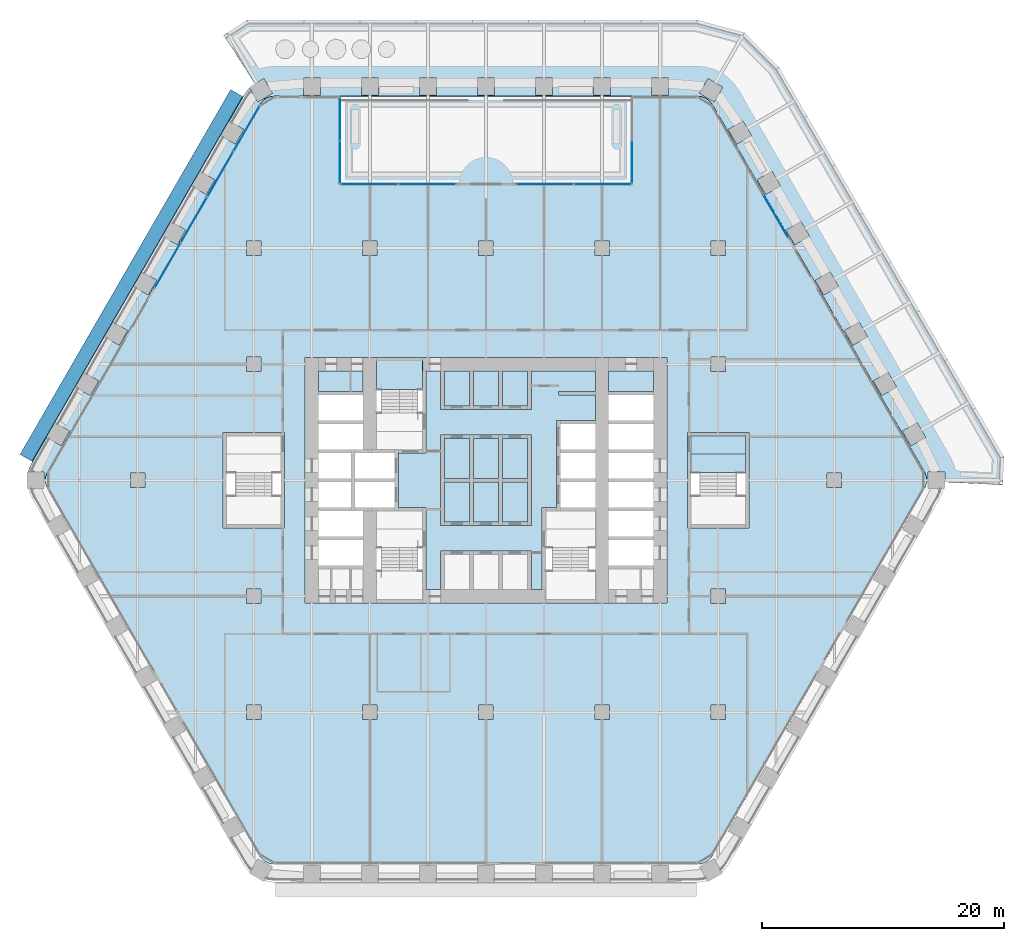
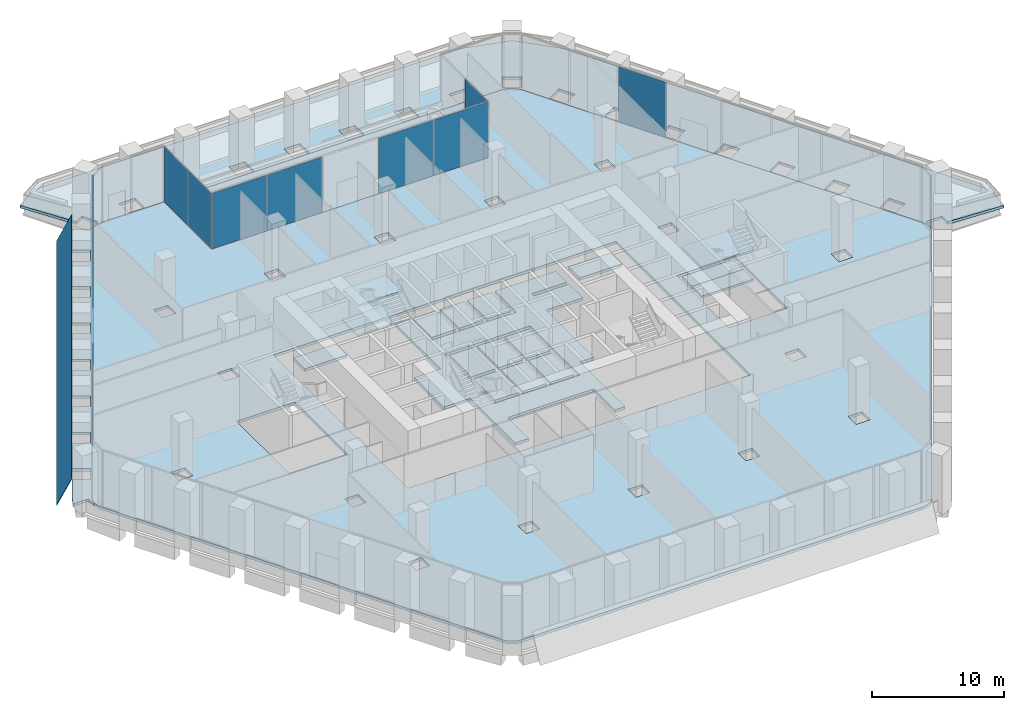
# One storey, part 17 of 30: 21 slabs, 13 plates, 8 elements without a shape of their own.
"""IFC4 building model written with IfcOpenShell, lengths in metres."""

from ifc_helpers import new_model, si_unit, direction, frame, origin, origin_2d, place, context, subcontext, project, spatial, polyline, rectangle, outline, extrude, material, layer, layer_set, type_object, element, aggregate, save


model = new_model("IFC4")

# Units and contexts
model_context = context("Model", 3, precision=1e-05, world=origin(), true_north=direction((0.0, 1.0)))
body_context = subcontext(model_context, "Body", "Model", "MODEL_VIEW")
ifc_project = project(units=[si_unit("LENGTHUNIT", "METRE"), si_unit("AREAUNIT", "SQUARE_METRE"), si_unit("VOLUMEUNIT", "CUBIC_METRE"), si_unit("PLANEANGLEUNIT", "RADIAN"), si_unit("MASSUNIT", "GRAM", prefix="KILO")], contexts=[model_context])

# Site, building, storey
site_placement = place(None, origin())
site = spatial("IfcSite", under=ifc_project, at=site_placement, CompositionType="ELEMENT")
building_placement = place(site_placement, origin())
building = spatial("IfcBuilding", under=site, at=building_placement, Name="Kolab Exchange Tower", CompositionType="ELEMENT")
storey_placement = place(building_placement, frame((0.0, 0.0, 38.89990234375)))
storey = spatial("IfcBuildingStorey", under=building, at=storey_placement, Name="L07", CompositionType="ELEMENT", Elevation=38.89990234375)

# Slabs
ifc_material_1 = material(Name="Concrete C35/45", Category="concrete")
ifc_layer_1 = layer(ifc_material_1, 0.25)
ifc_layer_set_1 = layer_set([ifc_layer_1], Name="Concrete C35/45")
slab_type_1 = type_object("IfcSlabType", Name="FLOOR SLAB 250", PredefinedType="FLOOR", material=ifc_layer_set_1)
slab_1_placement = place(storey_placement, frame((0.0, 0.0, -0.25)))
element("IfcSlab", 1, at=slab_1_placement, inside=storey, type_object=slab_type_1, Name="slab/L07/floor/0", PredefinedType="FLOOR", context=body_context, shape_type="SweptSolid", body=[
    extrude(outline(polyline([(17.468017578125, 31.75537109375), (12.0, 31.75537109375), (12.0, 24.555419921875), (-12.0, 24.555419921875), (-12.0, 31.75537109375), (-17.468017578125, 31.75537109375), (-17.728515625, 31.732666015625), (-17.98095703125, 31.664794921875), (-18.218017578125, 31.554443359375), (-18.43212890625, 31.404541015625), (-18.616943359375, 31.219482421875), (-18.76708984375, 31.00537109375), (-36.23486328125, 0.75), (-36.345458984375, 0.512939453125), (-36.4130859375, 0.260498046875), (-36.435791015625, 0.0), (-36.4130859375, -0.260498046875), (-36.345458984375, -0.512939453125), (-36.23486328125, -0.75), (-18.76708984375, -31.00537109375), (-18.616943359375, -31.219482421875), (-18.43212890625, -31.404541015625), (-18.218017578125, -31.554443359375), (-17.98095703125, -31.664794921875), (-17.728515625, -31.732666015625), (-17.468017578125, -31.75537109375), (17.468017578125, -31.75537109375), (17.728515625, -31.732666015625), (17.98095703125, -31.664794921875), (18.218017578125, -31.554443359375), (18.43212890625, -31.404541015625), (18.616943359375, -31.219482421875), (18.76708984375, -31.00537109375), (36.23486328125, -0.75), (36.345458984375, -0.512939453125), (36.4130859375, -0.260498046875), (36.435791015625, 0.0), (36.4130859375, 0.260498046875), (36.345458984375, 0.512939453125), (36.23486328125, 0.75), (18.76708984375, 31.00537109375), (18.616943359375, 31.219482421875), (18.43212890625, 31.404541015625), (18.218017578125, 31.554443359375), (17.98095703125, 31.664794921875), (17.728515625, 31.732666015625), (17.468017578125, 31.75537109375)]), holes=[polyline([(-19.800048828125, -18.60009765625), (-18.60009765625, -18.60009765625), (-18.60009765625, -19.800048828125), (-19.800048828125, -19.800048828125), (-19.800048828125, -18.60009765625)]), polyline([(-18.60009765625, -9.0), (-18.60009765625, -10.199951171875), (-19.800048828125, -10.199951171875), (-19.800048828125, -9.0), (-18.60009765625, -9.0)]), polyline([(-21.75, -3.949951171875), (-21.75, 3.949951171875), (-21.449951171875, 3.949951171875), (-16.949951171875, 3.949951171875), (-16.64990234375, 3.949951171875), (-16.64990234375, -3.949951171875), (-16.949951171875, -3.949951171875), (-21.449951171875, -3.949951171875), (-21.75, -3.949951171875)]), polyline([(-14.949951171875, 10.14990234375), (-13.85009765625, 10.14990234375), (-10.14990234375, 10.14990234375), (-9.050048828125, 10.14990234375), (-5.25, 10.14990234375), (9.050048828125, 10.14990234375), (10.14990234375, 10.14990234375), (13.85009765625, 10.14990234375), (14.949951171875, 10.14990234375), (14.949951171875, -10.14990234375), (13.85009765625, -10.14990234375), (10.14990234375, -10.14990234375), (9.050048828125, -10.14990234375), (4.949951171875, -10.14990234375), (-5.25, -10.14990234375), (-9.050048828125, -10.14990234375), (-10.14990234375, -10.14990234375), (-13.85009765625, -10.14990234375), (-14.949951171875, -10.14990234375), (-14.949951171875, 10.14990234375)]), polyline([(-28.199951171875, 0.60009765625), (-28.199951171875, -0.60009765625), (-29.39990234375, -0.60009765625), (-29.39990234375, 0.60009765625), (-28.199951171875, 0.60009765625)]), polyline([(-18.60009765625, 10.199951171875), (-18.60009765625, 9.0), (-19.800048828125, 9.0), (-19.800048828125, 10.199951171875), (-18.60009765625, 10.199951171875)]), polyline([(-19.800048828125, 19.800048828125), (-18.60009765625, 19.800048828125), (-18.60009765625, 18.60009765625), (-19.800048828125, 18.60009765625), (-19.800048828125, 19.800048828125)]), polyline([(-9.0, -18.60009765625), (-9.0, -19.800048828125), (-10.199951171875, -19.800048828125), (-10.199951171875, -18.60009765625), (-9.0, -18.60009765625)]), polyline([(-9.0, 19.800048828125), (-9.0, 18.60009765625), (-10.199951171875, 18.60009765625), (-10.199951171875, 19.800048828125), (-9.0, 19.800048828125)]), polyline([(0.60009765625, -18.60009765625), (0.60009765625, -19.800048828125), (-0.60009765625, -19.800048828125), (-0.60009765625, -18.60009765625), (0.60009765625, -18.60009765625)]), polyline([(0.60009765625, 19.800048828125), (0.60009765625, 18.60009765625), (-0.60009765625, 18.60009765625), (-0.60009765625, 19.800048828125), (0.60009765625, 19.800048828125)]), polyline([(10.199951171875, -18.60009765625), (10.199951171875, -19.800048828125), (9.0, -19.800048828125), (9.0, -18.60009765625), (10.199951171875, -18.60009765625)]), polyline([(9.0, 19.800048828125), (10.199951171875, 19.800048828125), (10.199951171875, 18.60009765625), (9.0, 18.60009765625), (9.0, 19.800048828125)]), polyline([(19.800048828125, -18.60009765625), (19.800048828125, -19.800048828125), (18.60009765625, -19.800048828125), (18.60009765625, -18.60009765625), (19.800048828125, -18.60009765625)]), polyline([(19.800048828125, -9.0), (19.800048828125, -10.199951171875), (18.60009765625, -10.199951171875), (18.60009765625, -9.0), (19.800048828125, -9.0)]), polyline([(16.949951171875, -3.949951171875), (16.64990234375, -3.949951171875), (16.64990234375, 3.949951171875), (16.949951171875, 3.949951171875), (21.449951171875, 3.949951171875), (21.75, 3.949951171875), (21.75, -3.949951171875), (21.449951171875, -3.949951171875), (16.949951171875, -3.949951171875)]), polyline([(29.39990234375, 0.60009765625), (29.39990234375, -0.60009765625), (28.199951171875, -0.60009765625), (28.199951171875, 0.60009765625), (29.39990234375, 0.60009765625)]), polyline([(18.60009765625, 10.199951171875), (19.800048828125, 10.199951171875), (19.800048828125, 9.0), (18.60009765625, 9.0), (18.60009765625, 10.199951171875)]), polyline([(18.60009765625, 19.800048828125), (19.800048828125, 19.800048828125), (19.800048828125, 18.60009765625), (18.60009765625, 18.60009765625), (18.60009765625, 19.800048828125)])]), origin(), (0.0, 0.0, 1.0), 0.25),
])
slab_2_placement = place(storey_placement, frame((0.0, 0.0, -0.25)))
element("IfcSlab", 2, at=slab_2_placement, inside=storey, type_object=slab_type_1, Name="slab/L07/floor/1", PredefinedType="FLOOR", context=body_context, shape_type="SweptSolid", body=[
    extrude(outline(polyline([(-5.25, 2.25), (-7.25, 2.25), (-7.25, -2.25), (-5.25, -2.25), (-4.949951171875, -2.25), (-4.949951171875, -9.050048828125), (-3.75, -9.050048828125), (-3.75, -5.85009765625), (-3.449951171875, -5.85009765625), (-1.35009765625, -5.85009765625), (-1.050048828125, -5.85009765625), (1.050048828125, -5.85009765625), (1.35009765625, -5.85009765625), (3.449951171875, -5.85009765625), (3.75, -5.85009765625), (3.75, -9.050048828125), (4.64990234375, -9.050048828125), (4.64990234375, -2.25), (4.949951171875, -2.25), (5.85009765625, -2.25), (5.85009765625, 4.949951171875), (6.14990234375, 4.949951171875), (9.050048828125, 4.949951171875), (9.050048828125, 7.050048828125), (6.0, 7.050048828125), (6.0, 7.35009765625), (9.050048828125, 7.35009765625), (9.050048828125, 9.050048828125), (3.75, 9.050048828125), (3.75, 5.85009765625), (3.449951171875, 5.85009765625), (1.35009765625, 5.85009765625), (1.050048828125, 5.85009765625), (-1.050048828125, 5.85009765625), (-1.35009765625, 5.85009765625), (-3.449951171875, 5.85009765625), (-3.75, 5.85009765625), (-3.75, 9.050048828125), (-4.949951171875, 9.050048828125), (-4.949951171875, 2.25), (-5.25, 2.25)]), holes=[polyline([(-1.35009765625, 3.75), (-1.050048828125, 3.75), (1.050048828125, 3.75), (1.35009765625, 3.75), (3.449951171875, 3.75), (3.75, 3.75), (3.75, -3.75), (3.449951171875, -3.75), (1.35009765625, -3.75), (1.050048828125, -3.75), (-1.050048828125, -3.75), (-1.35009765625, -3.75), (-3.449951171875, -3.75), (-3.75, -3.75), (-3.75, 3.75), (-3.449951171875, 3.75), (-1.35009765625, 3.75)])]), origin(), (0.0, 0.0, 1.0), 0.25),
])
slab_3_placement = place(storey_placement, frame((0.0, 0.0, -0.25)))
element("IfcSlab", 3, at=slab_3_placement, inside=storey, type_object=slab_type_1, Name="slab/L07/floor/2", PredefinedType="FLOOR", context=body_context, shape_type="SweptSolid", body=[
    extrude(outline(polyline([(-3.449951171875, -3.449951171875), (-1.35009765625, -3.449951171875), (-1.35009765625, -0.14990234375), (-3.449951171875, -0.14990234375), (-3.449951171875, -3.449951171875)])), origin(), (0.0, 0.0, 1.0), 0.25),
])
slab_4_placement = place(storey_placement, frame((0.0, 0.0, -0.25)))
element("IfcSlab", 4, at=slab_4_placement, inside=storey, type_object=slab_type_1, Name="slab/L07/floor/3", PredefinedType="FLOOR", context=body_context, shape_type="SweptSolid", body=[
    extrude(outline(polyline([(-1.35009765625, 0.14990234375), (-1.35009765625, 3.449951171875), (-3.449951171875, 3.449951171875), (-3.449951171875, 0.14990234375), (-1.35009765625, 0.14990234375)])), origin(), (0.0, 0.0, 1.0), 0.25),
])
slab_5_placement = place(storey_placement, frame((0.0, 0.0, -0.25)))
element("IfcSlab", 5, at=slab_5_placement, inside=storey, type_object=slab_type_1, Name="slab/L07/floor/4", PredefinedType="FLOOR", context=body_context, shape_type="SweptSolid", body=[
    extrude(outline(polyline([(-1.050048828125, -0.14990234375), (-1.050048828125, -3.449951171875), (1.050048828125, -3.449951171875), (1.050048828125, -0.14990234375), (-1.050048828125, -0.14990234375)])), origin(), (0.0, 0.0, 1.0), 0.25),
])
slab_6_placement = place(storey_placement, frame((0.0, 0.0, -0.25)))
element("IfcSlab", 6, at=slab_6_placement, inside=storey, type_object=slab_type_1, Name="slab/L07/floor/5", PredefinedType="FLOOR", context=body_context, shape_type="SweptSolid", body=[
    extrude(outline(polyline([(-1.050048828125, 3.449951171875), (-1.050048828125, 0.14990234375), (1.050048828125, 0.14990234375), (1.050048828125, 3.449951171875), (-1.050048828125, 3.449951171875)])), origin(), (0.0, 0.0, 1.0), 0.25),
])
slab_7_placement = place(storey_placement, frame((0.0, 0.0, -0.25)))
element("IfcSlab", 7, at=slab_7_placement, inside=storey, type_object=slab_type_1, Name="slab/L07/floor/6", PredefinedType="FLOOR", context=body_context, shape_type="SweptSolid", body=[
    extrude(outline(polyline([(1.35009765625, -3.449951171875), (3.449951171875, -3.449951171875), (3.449951171875, -0.14990234375), (1.35009765625, -0.14990234375), (1.35009765625, -3.449951171875)])), origin(), (0.0, 0.0, 1.0), 0.25),
])
slab_8_placement = place(storey_placement, frame((0.0, 0.0, -0.25)))
element("IfcSlab", 8, at=slab_8_placement, inside=storey, type_object=slab_type_1, Name="slab/L07/floor/7", PredefinedType="FLOOR", context=body_context, shape_type="SweptSolid", body=[
    extrude(outline(polyline([(1.35009765625, 0.14990234375), (3.449951171875, 0.14990234375), (3.449951171875, 3.449951171875), (1.35009765625, 3.449951171875), (1.35009765625, 0.14990234375)])), origin(), (0.0, 0.0, 1.0), 0.25),
])
slab_9_placement = place(storey_placement, frame((0.0, 0.0, -0.25)))
element("IfcSlab", 9, at=slab_9_placement, inside=storey, type_object=slab_type_1, Name="slab/L07/floor/9", PredefinedType="FLOOR", context=body_context, shape_type="SweptSolid", body=[
    extrude(outline(polyline([(21.449951171875, 3.64990234375), (16.949951171875, 3.64990234375), (16.949951171875, 2.14990234375), (21.449951171875, 2.14990234375), (21.449951171875, 3.64990234375)])), origin(), (0.0, 0.0, 1.0), 0.25),
])
slab_10_placement = place(storey_placement, frame((0.0, 0.0, -0.25)))
element("IfcSlab", 10, at=slab_10_placement, inside=storey, type_object=slab_type_1, Name="slab/L07/floor/11", PredefinedType="FLOOR", context=body_context, shape_type="SweptSolid", body=[
    extrude(outline(polyline([(-13.85009765625, 7.35009765625), (-10.14990234375, 7.35009765625), (-10.14990234375, 9.050048828125), (-13.85009765625, 9.050048828125), (-13.85009765625, 7.35009765625)])), origin(), (0.0, 0.0, 1.0), 0.25),
])
slab_11_placement = place(storey_placement, frame((0.0, 0.0, -0.25)))
element("IfcSlab", 11, at=slab_11_placement, inside=storey, type_object=slab_type_1, Name="slab/L07/floor/13", PredefinedType="FLOOR", context=body_context, shape_type="SweptSolid", body=[
    extrude(outline(polyline([(10.14990234375, 7.35009765625), (13.85009765625, 7.35009765625), (13.85009765625, 9.050048828125), (10.14990234375, 9.050048828125), (10.14990234375, 7.35009765625)])), origin(), (0.0, 0.0, 1.0), 0.25),
])
slab_12_placement = place(storey_placement, frame((0.0, 0.0, -0.25)))
element("IfcSlab", 12, at=slab_12_placement, inside=storey, type_object=slab_type_1, Name="slab/L07/floor/16", PredefinedType="FLOOR", context=body_context, shape_type="SweptSolid", body=[
    extrude(outline(polyline([(-1.050048828125, 9.050048828125), (-1.050048828125, 6.14990234375), (1.050048828125, 6.14990234375), (1.050048828125, 9.050048828125), (-1.050048828125, 9.050048828125)])), origin(), (0.0, 0.0, 1.0), 0.25),
])
slab_13_placement = place(storey_placement, frame((0.0, 0.0, -0.25)))
element("IfcSlab", 13, at=slab_13_placement, inside=storey, type_object=slab_type_1, Name="slab/L07/floor/18", PredefinedType="FLOOR", context=body_context, shape_type="SweptSolid", body=[
    extrude(outline(polyline([(-1.35009765625, 6.14990234375), (-1.35009765625, 9.050048828125), (-3.449951171875, 9.050048828125), (-3.449951171875, 6.14990234375), (-1.35009765625, 6.14990234375)])), origin(), (0.0, 0.0, 1.0), 0.25),
])
slab_14_placement = place(storey_placement, frame((0.0, 0.0, -0.25)))
element("IfcSlab", 14, at=slab_14_placement, inside=storey, type_object=slab_type_1, Name="slab/L07/floor/20", PredefinedType="FLOOR", context=body_context, shape_type="SweptSolid", body=[
    extrude(outline(polyline([(1.35009765625, 6.14990234375), (3.449951171875, 6.14990234375), (3.449951171875, 9.050048828125), (1.35009765625, 9.050048828125), (1.35009765625, 6.14990234375)])), origin(), (0.0, 0.0, 1.0), 0.25),
])
ifc_layer_2 = layer(ifc_material_1, 0.25)
ifc_layer_set_2 = layer_set([ifc_layer_2], Name="Concrete C35/45")
slab_type_2 = type_object("IfcSlabType", Name="LOGGIA SLAB 250", PredefinedType="FLOOR", material=ifc_layer_set_2)
slab_15_placement = place(storey_placement, frame((0.0, 0.0, -0.25)))
element("IfcSlab", 15, at=slab_15_placement, inside=storey, type_object=slab_type_2, Name="slab/L07/loggia/5-0", PredefinedType="FLOOR", context=body_context, shape_type="SweptSolid", body=[
    extrude(outline(polyline([(-18.43212890625, 31.404541015625), (-18.2802734375, 31.5107421875), (-18.338134765625, 31.6005859375), (-18.874267578125, 31.291015625), (-19.52734375, 32.42236328125), (-19.76611328125, 32.183837890625), (-20.06591796875, 31.75537109375), (-21.25, 29.70458984375), (-20.03759765625, 29.004638671875), (-20.737548828125, 27.792236328125), (-21.949951171875, 28.4921875), (-23.64990234375, 25.5478515625), (-22.4375, 24.84765625), (-23.137451171875, 23.63525390625), (-24.35009765625, 24.335205078125), (-26.050048828125, 21.390869140625), (-24.837646484375, 20.69091796875), (-25.53759765625, 19.478271484375), (-26.75, 20.178466796875), (-28.449951171875, 17.23388671875), (-27.237548828125, 16.533935546875), (-27.9375, 15.321533203125), (-29.14990234375, 16.021484375), (-30.85009765625, 13.076904296875), (-29.637451171875, 12.376953125), (-30.337646484375, 11.16455078125), (-31.550048828125, 11.864501953125), (-33.25, 8.920166015625), (-32.03759765625, 8.219970703125), (-32.737548828125, 7.007568359375), (-33.949951171875, 7.70751953125), (-35.64990234375, 4.76318359375), (-34.4375, 4.063232421875), (-35.137451171875, 2.8505859375), (-36.35009765625, 3.55078125), (-37.533935546875, 1.5), (-37.7548828125, 1.026123046875), (-37.84228515625, 0.699951171875), (-36.535888671875, 0.699951171875), (-36.535888671875, 0.0), (-36.435791015625, 0.0), (-36.4130859375, 0.260498046875), (-36.345458984375, 0.512939453125), (-36.23486328125, 0.75), (-18.76708984375, 31.00537109375), (-18.616943359375, 31.219482421875), (-18.43212890625, 31.404541015625)])), origin(), (0.0, 0.0, 1.0), 0.25),
])

# Plate
ifc_material_2 = material(Name="Laminated glass, clear", Category="glass")
ifc_layer_3 = layer(ifc_material_2, 0.0400390625)
ifc_layer_set_3 = layer_set([ifc_layer_3], Name="Laminated glass, clear")
plate_type_1 = type_object("IfcPlateType", Name="OUTER SKIN LAMINATED GLASS SHEET 40", PredefinedType="SHEET", material=ifc_layer_set_3)
plate_1_placement = place(storey_placement, frame((-38.53076171875, 2.13330078125, -0.782958984375), z_axis=(-0.784872769673, 0.453148092024, 0.422648248689), x_axis=(0.500001313459, 0.866024645457, 0.0)))
element("IfcPlate", 16, at=plate_1_placement, inside=storey, type_object=plate_type_1, Name="Outer skin", PredefinedType="SHEET", context=body_context, shape_type="SweptSolid", body=[
    extrude(outline(polyline([(0.0, 0.0), (34.83584598906518, 0.0), (34.8359132764295, -2.7059575705201846), (6.728736431932392e-05, -2.705957570520185), (0.0, 0.0)])), origin(), (0.0, 0.0, -1.0), 0.0400390625),
])

# Stair, slabs
ifc_material_3 = material(Name="Concrete C50/60", Category="concrete")
stair_type_1 = type_object("IfcStairType", Name="STAIR ST1 RISER 171.9", PredefinedType="DOUBLE_RETURN_STAIR", material=ifc_material_3)
stair_1_placement = place(storey_placement, origin())
stair_1 = element("IfcStair", 17, at=stair_1_placement, inside=storey, type_object=stair_type_1, Name="Stair 1", PredefinedType="DOUBLE_RETURN_STAIR")
ifc_layer_4 = layer(ifc_material_3, 0.199951171875)
ifc_layer_set_4 = layer_set([ifc_layer_4], Name="Concrete C50/60")
slab_type_3 = type_object("IfcSlabType", Name="STAIR LANDING 200", PredefinedType="LANDING", material=ifc_layer_set_4)
slab_16_placement = place(storey_placement, frame((0.0, 0.0, 1.175048828125)))
slab_16 = element("IfcSlab", 18, at=slab_16_placement, type_object=slab_type_3, Name="ST1 landing 2", PredefinedType="LANDING", context=body_context, shape_type="SweptSolid", body=[
    extrude(outline(polyline([(-9.110107421875, 7.510009765625), (-5.18994140625, 7.510009765625), (-5.18994140625, 9.909912109375), (-9.110107421875, 9.909912109375), (-9.110107421875, 7.510009765625)])), origin(), (0.0, 0.0, 1.0), 0.199951171875),
])
slab_17_placement = place(storey_placement, frame((0.0, 0.0, 3.925048828125)))
slab_17 = element("IfcSlab", 19, at=slab_17_placement, type_object=slab_type_3, Name="ST1 landing 4", PredefinedType="LANDING", context=body_context, shape_type="SweptSolid", body=[
    extrude(outline(polyline([(-9.050048828125, 7.510009765625), (-5.25, 7.510009765625), (-5.25, 9.909912109375), (-9.050048828125, 9.909912109375), (-9.050048828125, 7.510009765625)])), origin(), (0.0, 0.0, 1.0), 0.199951171875),
])
aggregate(stair_1, [slab_16, slab_17])

stair_type_2 = type_object("IfcStairType", Name="STAIR ST4 RISER 171.9", PredefinedType="DOUBLE_RETURN_STAIR", material=ifc_material_3)
stair_2_placement = place(storey_placement, origin())
stair_2 = element("IfcStair", 20, at=stair_2_placement, inside=storey, type_object=stair_type_2, Name="Stair 4", PredefinedType="DOUBLE_RETURN_STAIR")
slab_18_placement = place(storey_placement, frame((0.0, 0.0, -0.199951171875)))
slab_18 = element("IfcSlab", 21, at=slab_18_placement, type_object=slab_type_3, Name="ST4 landing 1", PredefinedType="LANDING", context=body_context, shape_type="SweptSolid", body=[
    extrude(outline(polyline([(16.949951171875, 0.64990234375), (21.449951171875, 0.64990234375), (21.449951171875, 2.14990234375), (16.949951171875, 2.14990234375), (16.949951171875, 0.64990234375)])), origin(), (0.0, 0.0, 1.0), 0.199951171875),
])
slab_19_placement = place(storey_placement, frame((0.0, 0.0, 2.550048828125)))
slab_19 = element("IfcSlab", 22, at=slab_19_placement, type_object=slab_type_3, Name="ST4 landing 3", PredefinedType="LANDING", context=body_context, shape_type="SweptSolid", body=[
    extrude(outline(polyline([(16.889892578125, 0.64990234375), (21.510009765625, 0.64990234375), (21.510009765625, 3.7099609375), (16.889892578125, 3.7099609375), (16.889892578125, 0.64990234375)])), origin(), (0.0, 0.0, 1.0), 0.199951171875),
])
aggregate(stair_2, [slab_18, slab_19])

# Slabs
ifc_layer_5 = layer(ifc_material_1, 0.25)
ifc_layer_set_5 = layer_set([ifc_layer_5], Name="Concrete C35/45")
slab_type_4 = type_object("IfcSlabType", Name="TERRACE SLAB 250 PLANTED", PredefinedType="ROOF", material=ifc_layer_set_5)
slab_20_placement = place(storey_placement, frame((0.0, 0.0, -0.25)))
element("IfcSlab", 23, at=slab_20_placement, inside=storey, type_object=slab_type_4, Name="Roof terrace", PredefinedType="ROOF", context=body_context, shape_type="SweptSolid", body=[
    extrude(outline(polyline([(-12.0, 31.75537109375), (-12.0, 24.555419921875), (12.0, 24.555419921875), (12.0, 31.75537109375), (-12.0, 31.75537109375)])), origin(), (0.0, 0.0, 1.0), 0.25),
])
slab_21_placement = place(storey_placement, frame((0.0, 0.0, -0.25)))
element("IfcSlab", 24, at=slab_21_placement, inside=storey, type_object=slab_type_4, Name="Roof terrace", PredefinedType="ROOF", context=body_context, shape_type="SweptSolid", body=[
    extrude(outline(polyline([(-21.695556640625, 36.79931640625), (-21.695556640625, 36.799072265625), (-19.097900390625, 32.7783203125), (-18.36181640625, 33.203369140625), (-17.66162109375, 31.990966796875), (-18.337158203125, 31.60107421875), (-18.279296875, 31.511474609375), (-18.218017578125, 31.55419921875), (-18.218017578125, 31.554443359375), (-18.2177734375, 31.554443359375), (-17.981201171875, 31.664794921875), (-17.98095703125, 31.664794921875), (-17.980712890625, 31.6650390625), (-17.728515625, 31.732421875), (-17.728515625, 31.732666015625), (-17.728271484375, 31.732666015625), (-17.468017578125, 31.75537109375), (-17.4677734375, 31.75537109375), (17.4677734375, 31.75537109375), (17.468017578125, 31.75537109375), (17.728271484375, 31.732666015625), (17.728515625, 31.732666015625), (17.728515625, 31.732421875), (17.980712890625, 31.6650390625), (17.98095703125, 31.664794921875), (17.981201171875, 31.664794921875), (18.2177734375, 31.554443359375), (18.218017578125, 31.554443359375), (18.218017578125, 31.55419921875), (18.431884765625, 31.404541015625), (18.43212890625, 31.404541015625), (18.432373046875, 31.404296875), (18.616943359375, 31.2197265625), (18.616943359375, 31.219482421875), (18.6171875, 31.219482421875), (18.766845703125, 31.00537109375), (18.76708984375, 31.00537109375), (36.23486328125, 0.75), (36.345458984375, 0.51318359375), (36.345458984375, 0.512939453125), (36.4130859375, 0.2607421875), (36.4130859375, 0.260498046875), (36.4130859375, 0.26025390625), (36.435791015625, 0.000244140625), (36.435791015625, 0.0), (36.435791015625, -0.000244140625), (36.429443359375, -0.07470703125), (36.535888671875, -0.080078125), (36.535888671875, 0.699951171875), (37.935791015625, 0.699951171875), (37.935791015625, -0.150146484375), (42.716796875, -0.389404296875), (42.716796875, -0.38916015625), (42.83251953125, 1.922607421875), (42.83251953125, 1.9228515625), (24.222900390625, 34.1552734375), (24.222900390625, 34.155517578125), (21.367919921875, 37.01025390625), (21.367919921875, 37.010498046875), (17.468017578125, 38.055419921875), (17.4677734375, 38.055419921875), (-19.7509765625, 38.055419921875), (-19.751220703125, 38.055419921875), (-21.695556640625, 36.79931640625)]), holes=[polyline([(-15.10009765625, 33.25537109375), (-13.699951171875, 33.25537109375), (-13.699951171875, 31.85546875), (-15.10009765625, 31.85546875), (-15.10009765625, 33.25537109375)]), polyline([(-8.89990234375, 33.25537109375), (-8.89990234375, 31.85546875), (-10.300048828125, 31.85546875), (-10.300048828125, 33.25537109375), (-8.89990234375, 33.25537109375)]), polyline([(-0.699951171875, 33.25537109375), (0.699951171875, 33.25537109375), (0.699951171875, 31.85546875), (-0.699951171875, 31.85546875), (-0.699951171875, 33.25537109375)]), polyline([(-4.10009765625, 33.25537109375), (-4.10009765625, 31.85546875), (-5.5, 31.85546875), (-5.5, 33.25537109375), (-4.10009765625, 33.25537109375)]), polyline([(8.89990234375, 33.25537109375), (10.300048828125, 33.25537109375), (10.300048828125, 31.85546875), (8.89990234375, 31.85546875), (8.89990234375, 33.25537109375)]), polyline([(5.5, 33.25537109375), (5.5, 31.85546875), (4.10009765625, 31.85546875), (4.10009765625, 33.25537109375), (5.5, 33.25537109375)]), polyline([(35.64990234375, 4.76318359375), (36.35009765625, 3.55078125), (35.137451171875, 2.8505859375), (34.4375, 4.063232421875), (35.64990234375, 4.76318359375)]), polyline([(32.03759765625, 8.219970703125), (33.25, 8.920166015625), (33.949951171875, 7.70751953125), (32.737548828125, 7.007568359375), (32.03759765625, 8.219970703125)]), polyline([(30.85009765625, 13.076904296875), (31.550048828125, 11.864501953125), (30.337646484375, 11.16455078125), (29.637451171875, 12.376953125), (30.85009765625, 13.076904296875)]), polyline([(28.449951171875, 17.23388671875), (29.14990234375, 16.021484375), (27.9375, 15.321533203125), (27.237548828125, 16.533935546875), (28.449951171875, 17.23388671875)]), polyline([(26.050048828125, 21.390869140625), (26.75, 20.178466796875), (25.53759765625, 19.478271484375), (24.837646484375, 20.69091796875), (26.050048828125, 21.390869140625)]), polyline([(23.64990234375, 25.5478515625), (24.35009765625, 24.335205078125), (23.137451171875, 23.63525390625), (22.4375, 24.84765625), (23.64990234375, 25.5478515625)]), polyline([(20.03759765625, 29.004638671875), (21.25, 29.70458984375), (21.949951171875, 28.4921875), (20.737548828125, 27.792236328125), (20.03759765625, 29.004638671875)]), polyline([(18.36181640625, 33.203369140625), (19.57421875, 32.50341796875), (18.874267578125, 31.291015625), (17.66162109375, 31.990966796875), (18.36181640625, 33.203369140625)]), polyline([(15.10009765625, 33.25537109375), (15.10009765625, 31.85546875), (13.699951171875, 31.85546875), (13.699951171875, 33.25537109375), (15.10009765625, 33.25537109375)])]), origin(), (0.0, 0.0, 1.0), 0.25),
])

# Curtain wall, plates
ifc_material_4 = material(Name="Aluminium EN AW-6063 T6", Category="aluminium")
curtain_wall_type = type_object("IfcCurtainWallType", Name="UNITISED LOW ZONE CURTAIN WALL", PredefinedType="NOTDEFINED", material=ifc_material_4)
curtain_wall_1_placement = place(storey_placement, origin())
curtain_wall_1 = element("IfcCurtainWall", 25, at=curtain_wall_1_placement, inside=storey, type_object=curtain_wall_type, Name="cw/L07/F1-rl-1", PredefinedType="NOTDEFINED")
ifc_material_5 = material(Name="Clear insulated glazing unit", Category="glass")
ifc_layer_6 = layer(ifc_material_5, 0.02392578125)
ifc_layer_set_6 = layer_set([ifc_layer_6], Name="Clear insulated glazing unit")
plate_type_2 = type_object("IfcPlateType", Name="UNITISED LOW ZONE GLASS PANEL 24", PredefinedType="CURTAIN_PANEL", material=ifc_layer_set_6)
plate_2_placement = place(storey_placement, frame((-12.080078125, 29.8603515625, 0.06005859375), z_axis=(0.0, 0.0, 1.0), x_axis=(0.0, -1.0, 0.0)))
plate_2 = element("IfcPlate", 26, at=plate_2_placement, type_object=plate_type_2, Name="CW1 panel 1.1", PredefinedType="CURTAIN_PANEL", context=body_context, shape_type="SweptSolid", body=[
    extrude(rectangle(XDim=3.510009765625, YDim=0.02392578125, at=origin_2d()), origin(), (0.0, 0.0, 1.0), 5.1298828125),
])
plate_3_placement = place(storey_placement, frame((-12.080078125, 26.290283203125, 0.06005859375), z_axis=(0.0, 0.0, 1.0), x_axis=(0.0, -1.0, 0.0)))
plate_3 = element("IfcPlate", 27, at=plate_3_placement, type_object=plate_type_2, Name="CW1 panel 2.1", PredefinedType="CURTAIN_PANEL", context=body_context, shape_type="SweptSolid", body=[
    extrude(rectangle(XDim=3.510009765625, YDim=0.02392578125, at=origin_2d()), origin(), (0.0, 0.0, 1.0), 5.1298828125),
])
aggregate(curtain_wall_1, [plate_2, plate_3])

curtain_wall_2_placement = place(storey_placement, origin())
curtain_wall_2 = element("IfcCurtainWall", 28, at=curtain_wall_2_placement, inside=storey, type_object=curtain_wall_type, Name="cw/L07/F1-back-1", PredefinedType="NOTDEFINED")
plate_4_placement = place(storey_placement, frame((-9.64892578125, 24.475341796875, 0.06005859375), z_axis=(0.0, 0.0, 1.0), x_axis=(1.0, 0.0, 0.0)))
plate_4 = element("IfcPlate", 29, at=plate_4_placement, type_object=plate_type_2, Name="CW1 panel 1.1", PredefinedType="CURTAIN_PANEL", context=body_context, shape_type="SweptSolid", body=[
    extrude(rectangle(XDim=4.741943359375, YDim=0.02392578125, at=origin_2d()), origin(), (0.0, 0.0, 1.0), 5.1298828125),
])
plate_5_placement = place(storey_placement, frame((-4.846923828125, 24.475341796875, 0.06005859375), z_axis=(0.0, 0.0, 1.0), x_axis=(1.0, 0.0, 0.0)))
plate_5 = element("IfcPlate", 30, at=plate_5_placement, type_object=plate_type_2, Name="CW1 panel 2.1", PredefinedType="CURTAIN_PANEL", context=body_context, shape_type="SweptSolid", body=[
    extrude(rectangle(XDim=4.741943359375, YDim=0.02392578125, at=origin_2d()), origin(), (0.0, 0.0, 1.0), 5.1298828125),
])
aggregate(curtain_wall_2, [plate_4, plate_5])

curtain_wall_3_placement = place(storey_placement, origin())
curtain_wall_3 = element("IfcCurtainWall", 31, at=curtain_wall_3_placement, inside=storey, type_object=curtain_wall_type, Name="cw/L07/F1-back-2", PredefinedType="NOTDEFINED")
plate_6_placement = place(storey_placement, frame((4.846923828125, 24.475341796875, 0.06005859375), z_axis=(0.0, 0.0, 1.0), x_axis=(1.0, 0.0, 0.0)))
plate_6 = element("IfcPlate", 32, at=plate_6_placement, type_object=plate_type_2, Name="CW1 panel 1.1", PredefinedType="CURTAIN_PANEL", context=body_context, shape_type="SweptSolid", body=[
    extrude(rectangle(XDim=4.741943359375, YDim=0.02392578125, at=origin_2d()), origin(), (0.0, 0.0, 1.0), 5.1298828125),
])
plate_7_placement = place(storey_placement, frame((9.64892578125, 24.475341796875, 0.06005859375), z_axis=(0.0, 0.0, 1.0), x_axis=(1.0, 0.0, 0.0)))
plate_7 = element("IfcPlate", 33, at=plate_7_placement, type_object=plate_type_2, Name="CW1 panel 2.1", PredefinedType="CURTAIN_PANEL", context=body_context, shape_type="SweptSolid", body=[
    extrude(rectangle(XDim=4.741943359375, YDim=0.02392578125, at=origin_2d()), origin(), (0.0, 0.0, 1.0), 5.1298828125),
])
aggregate(curtain_wall_3, [plate_6, plate_7])

# Curtain wall, plate
curtain_wall_4_placement = place(storey_placement, origin())
curtain_wall_4 = element("IfcCurtainWall", 34, at=curtain_wall_4_placement, inside=storey, type_object=curtain_wall_type, Name="cw/L07/F1-rr-1", PredefinedType="NOTDEFINED")
plate_8_placement = place(storey_placement, frame((12.080078125, 26.290283203125, 0.06005859375), z_axis=(0.0, 0.0, 1.0), x_axis=(0.0, 1.0, 0.0)))
plate_8 = element("IfcPlate", 35, at=plate_8_placement, type_object=plate_type_2, Name="CW1 panel 1.1", PredefinedType="CURTAIN_PANEL", context=body_context, shape_type="SweptSolid", body=[
    extrude(rectangle(XDim=3.510009765625, YDim=0.02392578125, at=origin_2d()), origin(), (0.0, 0.0, 1.0), 5.1298828125),
])
aggregate(curtain_wall_4, [plate_8])

curtain_wall_5_placement = place(storey_placement, origin())
curtain_wall_5 = element("IfcCurtainWall", 36, at=curtain_wall_5_placement, inside=storey, type_object=curtain_wall_type, Name="cw/L07/F2-1", PredefinedType="NOTDEFINED")
plate_9_placement = place(storey_placement, frame((23.968505859375, 21.836181640625, 0.06005859375), z_axis=(0.0, 0.0, 1.0), x_axis=(0.500000017564, -0.866025393644, 0.0)))
plate_9 = element("IfcPlate", 37, at=plate_9_placement, type_object=plate_type_2, Name="CW1 panel 3.1", PredefinedType="CURTAIN_PANEL", context=body_context, shape_type="SweptSolid", body=[
    extrude(rectangle(XDim=4.132568359375, YDim=0.02392578125, at=origin_2d()), origin(), (0.0, 0.0, 1.0), 5.1298828125),
])
aggregate(curtain_wall_5, [plate_9])

# Curtain wall, plates
curtain_wall_6_placement = place(storey_placement, origin())
curtain_wall_6 = element("IfcCurtainWall", 38, at=curtain_wall_6_placement, inside=storey, type_object=curtain_wall_type, Name="cw/L07/F6-2", PredefinedType="NOTDEFINED")
plate_10_placement = place(storey_placement, frame((-26.33251953125, 17.74169921875, 0.06005859375), z_axis=(0.0, 0.0, 1.0), x_axis=(0.5000000112, 0.866025397318, 0.0)))
plate_10 = element("IfcPlate", 39, at=plate_10_placement, type_object=plate_type_2, Name="CW1 panel 1.1", PredefinedType="CURTAIN_PANEL", context=body_context, shape_type="SweptSolid", body=[
    extrude(rectangle(XDim=4.277099609375, YDim=0.02392578125, at=origin_2d()), origin(), (0.0, 0.0, 1.0), 5.1298828125),
])
plate_11_placement = place(storey_placement, frame((-24.156494140625, 21.510498046875, 0.06005859375), z_axis=(0.0, 0.0, 1.0), x_axis=(0.5000000112, 0.866025397318, 0.0)))
plate_11 = element("IfcPlate", 40, at=plate_11_placement, type_object=plate_type_2, Name="CW1 panel 2.1", PredefinedType="CURTAIN_PANEL", context=body_context, shape_type="SweptSolid", body=[
    extrude(rectangle(XDim=4.306884765625, YDim=0.02392578125, at=origin_2d()), origin(), (0.0, 0.0, 1.0), 5.1298828125),
])
plate_12_placement = place(storey_placement, frame((-21.972900390625, 25.29248046875, 0.06005859375), z_axis=(0.0, 0.0, 1.0), x_axis=(0.5000000112, 0.866025397318, 0.0)))
plate_12 = element("IfcPlate", 41, at=plate_12_placement, type_object=plate_type_2, Name="CW1 panel 3.1", PredefinedType="CURTAIN_PANEL", context=body_context, shape_type="SweptSolid", body=[
    extrude(rectangle(XDim=4.306884765625, YDim=0.02392578125, at=origin_2d()), origin(), (0.0, 0.0, 1.0), 5.1298828125),
])
plate_13_placement = place(storey_placement, frame((-19.796875, 29.0615234375, 0.06005859375), z_axis=(0.0, 0.0, 1.0), x_axis=(0.5000000112, 0.866025397318, 0.0)))
plate_13 = element("IfcPlate", 42, at=plate_13_placement, type_object=plate_type_2, Name="CW1 panel 4.1", PredefinedType="CURTAIN_PANEL", context=body_context, shape_type="SweptSolid", body=[
    extrude(rectangle(XDim=4.277099609375, YDim=0.02392578125, at=origin_2d()), origin(), (0.0, 0.0, 1.0), 5.1298828125),
])
aggregate(curtain_wall_6, [plate_10, plate_11, plate_12, plate_13])

save(model, "model.ifc")
